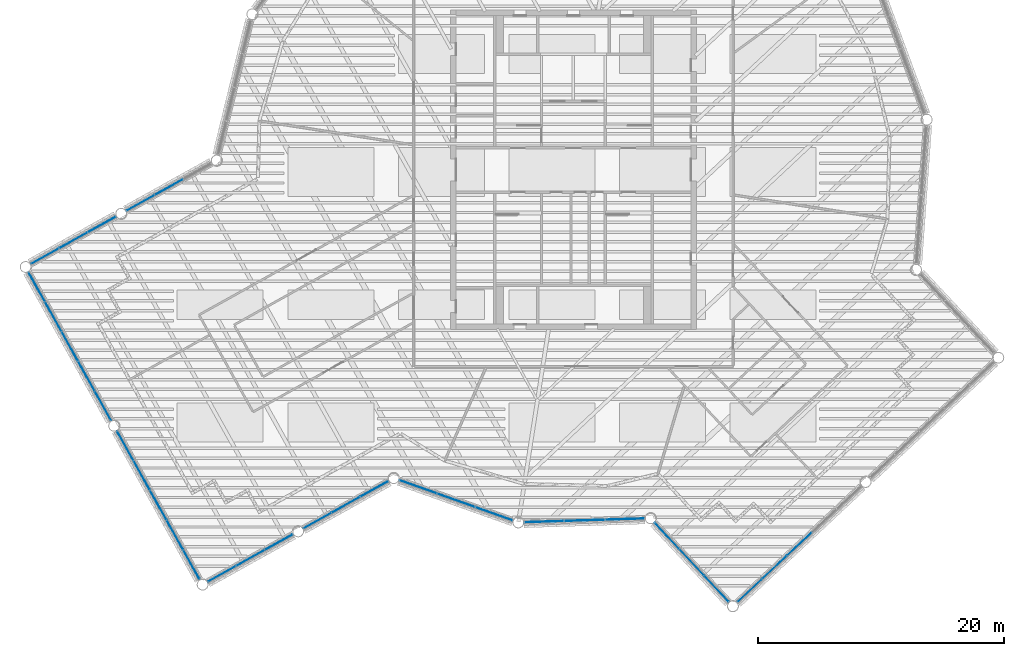
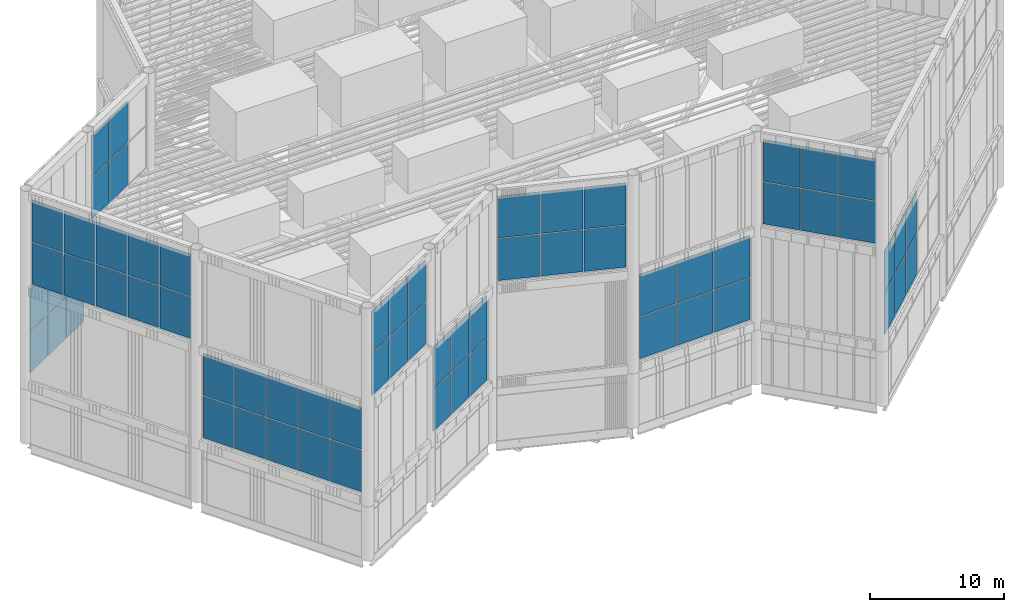
# One storey, part 79 of 117: 66 plates, 10 elements without a shape of their own.
"""IFC4 building model written with IfcOpenShell, lengths in metres."""

from ifc_helpers import new_model, si_unit, direction, frame, origin, origin_2d, place, context, subcontext, project, spatial, rectangle, extrude, material, layer, layer_set, type_object, element, aggregate, save


model = new_model("IFC4")

# Units and contexts
model_context = context("Model", 3, precision=1e-05, world=origin(), true_north=direction((0.0, 1.0)))
body_context = subcontext(model_context, "Body", "Model", "MODEL_VIEW")
ifc_project = project(units=[si_unit("LENGTHUNIT", "METRE"), si_unit("AREAUNIT", "SQUARE_METRE"), si_unit("VOLUMEUNIT", "CUBIC_METRE"), si_unit("PLANEANGLEUNIT", "RADIAN"), si_unit("MASSUNIT", "GRAM", prefix="KILO")], contexts=[model_context])

# Site, building, storey
site_placement = place(None, origin())
site = spatial("IfcSite", under=ifc_project, at=site_placement, CompositionType="ELEMENT")
building_placement = place(site_placement, origin())
building = spatial("IfcBuilding", under=site, at=building_placement, Name="Tarsis Ring Headquarters", CompositionType="ELEMENT")
storey_placement = place(building_placement, frame((0.0, 0.0, 403.60009765625)))
storey = spatial("IfcBuildingStorey", under=building, at=storey_placement, Name="L95", CompositionType="ELEMENT", Elevation=403.60009765625)

# Curtain wall, plates
ifc_material_1 = material(Name="Aluminium curtain wall", Category="aluminium")
ifc_layer_1 = layer(ifc_material_1, 0.179931640625)
ifc_layer_set_1 = layer_set([ifc_layer_1], Name="Curtain wall crown glazing")
curtain_wall_type = type_object("IfcCurtainWallType", Name="Curtain wall crown glazing", PredefinedType="NOTDEFINED", material=ifc_layer_set_1)
curtain_wall_1_placement = place(storey_placement, origin())
curtain_wall_1 = element("IfcCurtainWall", 1, at=curtain_wall_1_placement, inside=storey, type_object=curtain_wall_type, Name="Crown glazing L1", PredefinedType="NOTDEFINED")
ifc_material_2 = material(Name="Clear double glazing", Category="glass")
ifc_layer_2 = layer(ifc_material_2, 0.031982421875)
ifc_layer_set_2 = layer_set([ifc_layer_2], Name="Crown glazing glass panel")
plate_type = type_object("IfcPlateType", Name="Crown glazing glass panel", PredefinedType="CURTAIN_PANEL", material=ifc_layer_set_2)
plate_1_placement = place(storey_placement, frame((-2.36767578125, -28.633544921875, 5.869873046875), z_axis=(0.0, 0.0, 1.0), x_axis=(0.999503822594, 0.031497755807, 0.0)))
plate_1 = element("IfcPlate", 2, at=plate_1_placement, type_object=plate_type, Name="CW-C panel 1.1", PredefinedType="CURTAIN_PANEL", context=body_context, shape_type="SweptSolid", body=[
    extrude(rectangle(XDim=3.180908203125, YDim=0.031982421875, at=origin_2d()), origin(), (0.0, 0.0, 1.0), 3.794921875),
])
plate_2_placement = place(storey_placement, frame((-2.36767578125, -28.633544921875, 9.73486328125), z_axis=(0.0, 0.0, 1.0), x_axis=(0.999503822594, 0.031497755807, 0.0)))
plate_2 = element("IfcPlate", 3, at=plate_2_placement, type_object=plate_type, Name="CW-C panel 1.2", PredefinedType="CURTAIN_PANEL", context=body_context, shape_type="SweptSolid", body=[
    extrude(rectangle(XDim=3.180908203125, YDim=0.031982421875, at=origin_2d()), origin(), (0.0, 0.0, 1.0), 3.794921875),
])
plate_3_placement = place(storey_placement, frame((0.899169921875, -28.53076171875, 5.869873046875), z_axis=(0.0, 0.0, 1.0), x_axis=(0.999503822594, 0.031497755807, 0.0)))
plate_3 = element("IfcPlate", 4, at=plate_3_placement, type_object=plate_type, Name="CW-C panel 2.1", PredefinedType="CURTAIN_PANEL", context=body_context, shape_type="SweptSolid", body=[
    extrude(rectangle(XDim=3.2158203125, YDim=0.031982421875, at=origin_2d()), origin(), (0.0, 0.0, 1.0), 3.794921875),
])
plate_4_placement = place(storey_placement, frame((0.899169921875, -28.53076171875, 9.73486328125), z_axis=(0.0, 0.0, 1.0), x_axis=(0.999503822594, 0.031497755807, 0.0)))
plate_4 = element("IfcPlate", 5, at=plate_4_placement, type_object=plate_type, Name="CW-C panel 2.2", PredefinedType="CURTAIN_PANEL", context=body_context, shape_type="SweptSolid", body=[
    extrude(rectangle(XDim=3.2158203125, YDim=0.031982421875, at=origin_2d()), origin(), (0.0, 0.0, 1.0), 3.794921875),
])
plate_5_placement = place(storey_placement, frame((4.165771484375, -28.427734375, 5.869873046875), z_axis=(0.0, 0.0, 1.0), x_axis=(0.999503822594, 0.031497755807, 0.0)))
plate_5 = element("IfcPlate", 6, at=plate_5_placement, type_object=plate_type, Name="CW-C panel 3.1", PredefinedType="CURTAIN_PANEL", context=body_context, shape_type="SweptSolid", body=[
    extrude(rectangle(XDim=3.180908203125, YDim=0.031982421875, at=origin_2d()), origin(), (0.0, 0.0, 1.0), 3.794921875),
])
plate_6_placement = place(storey_placement, frame((4.165771484375, -28.427734375, 9.73486328125), z_axis=(0.0, 0.0, 1.0), x_axis=(0.999503822594, 0.031497755807, 0.0)))
plate_6 = element("IfcPlate", 7, at=plate_6_placement, type_object=plate_type, Name="CW-C panel 3.2", PredefinedType="CURTAIN_PANEL", context=body_context, shape_type="SweptSolid", body=[
    extrude(rectangle(XDim=3.180908203125, YDim=0.031982421875, at=origin_2d()), origin(), (0.0, 0.0, 1.0), 3.794921875),
])
aggregate(curtain_wall_1, [plate_1, plate_2, plate_3, plate_4, plate_5, plate_6])

curtain_wall_2_placement = place(storey_placement, origin())
curtain_wall_2 = element("IfcCurtainWall", 8, at=curtain_wall_2_placement, inside=storey, type_object=curtain_wall_type, Name="Crown glazing L3", PredefinedType="NOTDEFINED")
plate_7_placement = place(storey_placement, frame((14.34375, -34.244140625, 5.869873046875), z_axis=(0.0, 0.0, 1.0), x_axis=(0.729923774312, 0.683528553678, 0.0)))
plate_7 = element("IfcPlate", 9, at=plate_7_placement, type_object=plate_type, Name="CW-C panel 1.1", PredefinedType="CURTAIN_PANEL", context=body_context, shape_type="SweptSolid", body=[
    extrude(rectangle(XDim=2.672119140625, YDim=0.031982421875, at=origin_2d()), origin(), (0.0, 0.0, 1.0), 3.794921875),
])
plate_8_placement = place(storey_placement, frame((14.34375, -34.244140625, 9.73486328125), z_axis=(0.0, 0.0, 1.0), x_axis=(0.729923774312, 0.683528553678, 0.0)))
plate_8 = element("IfcPlate", 10, at=plate_8_placement, type_object=plate_type, Name="CW-C panel 1.2", PredefinedType="CURTAIN_PANEL", context=body_context, shape_type="SweptSolid", body=[
    extrude(rectangle(XDim=2.672119140625, YDim=0.031982421875, at=origin_2d()), origin(), (0.0, 0.0, 1.0), 3.794921875),
])
plate_9_placement = place(storey_placement, frame((16.358154296875, -32.357666015625, 5.869873046875), z_axis=(0.0, 0.0, 1.0), x_axis=(0.729923774312, 0.683528553678, 0.0)))
plate_9 = element("IfcPlate", 11, at=plate_9_placement, type_object=plate_type, Name="CW-C panel 2.1", PredefinedType="CURTAIN_PANEL", context=body_context, shape_type="SweptSolid", body=[
    extrude(rectangle(XDim=2.707275390625, YDim=0.031982421875, at=origin_2d()), origin(), (0.0, 0.0, 1.0), 3.794921875),
])
plate_10_placement = place(storey_placement, frame((16.358154296875, -32.357666015625, 9.73486328125), z_axis=(0.0, 0.0, 1.0), x_axis=(0.729923774312, 0.683528553678, 0.0)))
plate_10 = element("IfcPlate", 12, at=plate_10_placement, type_object=plate_type, Name="CW-C panel 2.2", PredefinedType="CURTAIN_PANEL", context=body_context, shape_type="SweptSolid", body=[
    extrude(rectangle(XDim=2.707275390625, YDim=0.031982421875, at=origin_2d()), origin(), (0.0, 0.0, 1.0), 3.794921875),
])
plate_11_placement = place(storey_placement, frame((18.38525390625, -30.45947265625, 5.869873046875), z_axis=(0.0, 0.0, 1.0), x_axis=(0.729923774312, 0.683528553678, 0.0)))
plate_11 = element("IfcPlate", 13, at=plate_11_placement, type_object=plate_type, Name="CW-C panel 3.1", PredefinedType="CURTAIN_PANEL", context=body_context, shape_type="SweptSolid", body=[
    extrude(rectangle(XDim=2.707275390625, YDim=0.031982421875, at=origin_2d()), origin(), (0.0, 0.0, 1.0), 3.794921875),
])
plate_12_placement = place(storey_placement, frame((18.38525390625, -30.45947265625, 9.73486328125), z_axis=(0.0, 0.0, 1.0), x_axis=(0.729923774312, 0.683528553678, 0.0)))
plate_12 = element("IfcPlate", 14, at=plate_12_placement, type_object=plate_type, Name="CW-C panel 3.2", PredefinedType="CURTAIN_PANEL", context=body_context, shape_type="SweptSolid", body=[
    extrude(rectangle(XDim=2.707275390625, YDim=0.031982421875, at=origin_2d()), origin(), (0.0, 0.0, 1.0), 3.794921875),
])
aggregate(curtain_wall_2, [plate_7, plate_8, plate_9, plate_10, plate_11, plate_12])

curtain_wall_3_placement = place(storey_placement, origin())
curtain_wall_3 = element("IfcCurtainWall", 15, at=curtain_wall_3_placement, inside=storey, type_object=curtain_wall_type, Name="Crown glazing L15", PredefinedType="NOTDEFINED")
plate_13_placement = place(storey_placement, frame((-38.39306640625, -4.445556640625, 5.869873046875), z_axis=(0.0, 0.0, 1.0), x_axis=(-0.873602436748, -0.486640300948, 0.0)))
plate_13 = element("IfcPlate", 16, at=plate_13_placement, type_object=plate_type, Name="CW-C panel 1.1", PredefinedType="CURTAIN_PANEL", context=body_context, shape_type="SweptSolid", body=[
    extrude(rectangle(XDim=2.557861328125, YDim=0.031982421875, at=origin_2d()), origin(), (0.0, 0.0, 1.0), 3.794921875),
])
plate_14_placement = place(storey_placement, frame((-38.39306640625, -4.445556640625, 9.73486328125), z_axis=(0.0, 0.0, 1.0), x_axis=(-0.873602436748, -0.486640300948, 0.0)))
plate_14 = element("IfcPlate", 17, at=plate_14_placement, type_object=plate_type, Name="CW-C panel 1.2", PredefinedType="CURTAIN_PANEL", context=body_context, shape_type="SweptSolid", body=[
    extrude(rectangle(XDim=2.557861328125, YDim=0.031982421875, at=origin_2d()), origin(), (0.0, 0.0, 1.0), 3.794921875),
])
plate_15_placement = place(storey_placement, frame((-40.703857421875, -5.73291015625, 5.869873046875), z_axis=(0.0, 0.0, 1.0), x_axis=(-0.873602436748, -0.486640300948, 0.0)))
plate_15 = element("IfcPlate", 18, at=plate_15_placement, type_object=plate_type, Name="CW-C panel 2.1", PredefinedType="CURTAIN_PANEL", context=body_context, shape_type="SweptSolid", body=[
    extrude(rectangle(XDim=2.5927734375, YDim=0.031982421875, at=origin_2d()), origin(), (0.0, 0.0, 1.0), 3.794921875),
])
plate_16_placement = place(storey_placement, frame((-40.703857421875, -5.73291015625, 9.73486328125), z_axis=(0.0, 0.0, 1.0), x_axis=(-0.873602436748, -0.486640300948, 0.0)))
plate_16 = element("IfcPlate", 19, at=plate_16_placement, type_object=plate_type, Name="CW-C panel 2.2", PredefinedType="CURTAIN_PANEL", context=body_context, shape_type="SweptSolid", body=[
    extrude(rectangle(XDim=2.5927734375, YDim=0.031982421875, at=origin_2d()), origin(), (0.0, 0.0, 1.0), 3.794921875),
])
plate_17_placement = place(storey_placement, frame((-43.014892578125, -7.02001953125, 5.869873046875), z_axis=(0.0, 0.0, 1.0), x_axis=(-0.873602436748, -0.486640300948, 0.0)))
plate_17 = element("IfcPlate", 20, at=plate_17_placement, type_object=plate_type, Name="CW-C panel 3.1", PredefinedType="CURTAIN_PANEL", context=body_context, shape_type="SweptSolid", body=[
    extrude(rectangle(XDim=2.557861328125, YDim=0.031982421875, at=origin_2d()), origin(), (0.0, 0.0, 1.0), 3.794921875),
])
plate_18_placement = place(storey_placement, frame((-43.014892578125, -7.02001953125, 9.73486328125), z_axis=(0.0, 0.0, 1.0), x_axis=(-0.873602436748, -0.486640300948, 0.0)))
plate_18 = element("IfcPlate", 21, at=plate_18_placement, type_object=plate_type, Name="CW-C panel 3.2", PredefinedType="CURTAIN_PANEL", context=body_context, shape_type="SweptSolid", body=[
    extrude(rectangle(XDim=2.557861328125, YDim=0.031982421875, at=origin_2d()), origin(), (0.0, 0.0, 1.0), 3.794921875),
])
aggregate(curtain_wall_3, [plate_13, plate_14, plate_15, plate_16, plate_17, plate_18])

curtain_wall_4_placement = place(storey_placement, origin())
curtain_wall_4 = element("IfcCurtainWall", 22, at=curtain_wall_4_placement, inside=storey, type_object=curtain_wall_type, Name="Crown glazing L17", PredefinedType="NOTDEFINED")
plate_19_placement = place(storey_placement, frame((-36.483642578125, -22.455810546875, 5.869873046875), z_axis=(0.0, 0.0, 1.0), x_axis=(0.486640326625, -0.873602422445, 0.0)))
plate_19 = element("IfcPlate", 23, at=plate_19_placement, type_object=plate_type, Name="CW-C panel 1.1", PredefinedType="CURTAIN_PANEL", context=body_context, shape_type="SweptSolid", body=[
    extrude(rectangle(XDim=2.672119140625, YDim=0.031982421875, at=origin_2d()), origin(), (0.0, 0.0, 1.0), 3.794921875),
])
plate_20_placement = place(storey_placement, frame((-36.483642578125, -22.455810546875, 9.73486328125), z_axis=(0.0, 0.0, 1.0), x_axis=(0.486640326625, -0.873602422445, 0.0)))
plate_20 = element("IfcPlate", 24, at=plate_20_placement, type_object=plate_type, Name="CW-C panel 1.2", PredefinedType="CURTAIN_PANEL", context=body_context, shape_type="SweptSolid", body=[
    extrude(rectangle(XDim=2.672119140625, YDim=0.031982421875, at=origin_2d()), origin(), (0.0, 0.0, 1.0), 3.794921875),
])
plate_21_placement = place(storey_placement, frame((-35.140625, -24.86669921875, 5.869873046875), z_axis=(0.0, 0.0, 1.0), x_axis=(0.486640326625, -0.873602422445, 0.0)))
plate_21 = element("IfcPlate", 25, at=plate_21_placement, type_object=plate_type, Name="CW-C panel 2.1", PredefinedType="CURTAIN_PANEL", context=body_context, shape_type="SweptSolid", body=[
    extrude(rectangle(XDim=2.707275390625, YDim=0.031982421875, at=origin_2d()), origin(), (0.0, 0.0, 1.0), 3.794921875),
])
plate_22_placement = place(storey_placement, frame((-35.140625, -24.86669921875, 9.73486328125), z_axis=(0.0, 0.0, 1.0), x_axis=(0.486640326625, -0.873602422445, 0.0)))
plate_22 = element("IfcPlate", 26, at=plate_22_placement, type_object=plate_type, Name="CW-C panel 2.2", PredefinedType="CURTAIN_PANEL", context=body_context, shape_type="SweptSolid", body=[
    extrude(rectangle(XDim=2.707275390625, YDim=0.031982421875, at=origin_2d()), origin(), (0.0, 0.0, 1.0), 3.794921875),
])
plate_23_placement = place(storey_placement, frame((-33.7890625, -27.29296875, 5.869873046875), z_axis=(0.0, 0.0, 1.0), x_axis=(0.486640326625, -0.873602422445, 0.0)))
plate_23 = element("IfcPlate", 27, at=plate_23_placement, type_object=plate_type, Name="CW-C panel 3.1", PredefinedType="CURTAIN_PANEL", context=body_context, shape_type="SweptSolid", body=[
    extrude(rectangle(XDim=2.707275390625, YDim=0.031982421875, at=origin_2d()), origin(), (0.0, 0.0, 1.0), 3.794921875),
])
plate_24_placement = place(storey_placement, frame((-33.7890625, -27.29296875, 9.73486328125), z_axis=(0.0, 0.0, 1.0), x_axis=(0.486640326625, -0.873602422445, 0.0)))
plate_24 = element("IfcPlate", 28, at=plate_24_placement, type_object=plate_type, Name="CW-C panel 3.2", PredefinedType="CURTAIN_PANEL", context=body_context, shape_type="SweptSolid", body=[
    extrude(rectangle(XDim=2.707275390625, YDim=0.031982421875, at=origin_2d()), origin(), (0.0, 0.0, 1.0), 3.794921875),
])
plate_25_placement = place(storey_placement, frame((-32.4375, -29.718994140625, 5.869873046875), z_axis=(0.0, 0.0, 1.0), x_axis=(0.486640326625, -0.873602422445, 0.0)))
plate_25 = element("IfcPlate", 29, at=plate_25_placement, type_object=plate_type, Name="CW-C panel 4.1", PredefinedType="CURTAIN_PANEL", context=body_context, shape_type="SweptSolid", body=[
    extrude(rectangle(XDim=2.707275390625, YDim=0.031982421875, at=origin_2d()), origin(), (0.0, 0.0, 1.0), 3.794921875),
])
plate_26_placement = place(storey_placement, frame((-32.4375, -29.718994140625, 9.73486328125), z_axis=(0.0, 0.0, 1.0), x_axis=(0.486640326625, -0.873602422445, 0.0)))
plate_26 = element("IfcPlate", 30, at=plate_26_placement, type_object=plate_type, Name="CW-C panel 4.2", PredefinedType="CURTAIN_PANEL", context=body_context, shape_type="SweptSolid", body=[
    extrude(rectangle(XDim=2.707275390625, YDim=0.031982421875, at=origin_2d()), origin(), (0.0, 0.0, 1.0), 3.794921875),
])
plate_27_placement = place(storey_placement, frame((-31.094482421875, -32.1298828125, 5.869873046875), z_axis=(0.0, 0.0, 1.0), x_axis=(0.486640326625, -0.873602422445, 0.0)))
plate_27 = element("IfcPlate", 31, at=plate_27_placement, type_object=plate_type, Name="CW-C panel 5.1", PredefinedType="CURTAIN_PANEL", context=body_context, shape_type="SweptSolid", body=[
    extrude(rectangle(XDim=2.672119140625, YDim=0.031982421875, at=origin_2d()), origin(), (0.0, 0.0, 1.0), 3.794921875),
])
plate_28_placement = place(storey_placement, frame((-31.094482421875, -32.1298828125, 9.73486328125), z_axis=(0.0, 0.0, 1.0), x_axis=(0.486640326625, -0.873602422445, 0.0)))
plate_28 = element("IfcPlate", 32, at=plate_28_placement, type_object=plate_type, Name="CW-C panel 5.2", PredefinedType="CURTAIN_PANEL", context=body_context, shape_type="SweptSolid", body=[
    extrude(rectangle(XDim=2.672119140625, YDim=0.031982421875, at=origin_2d()), origin(), (0.0, 0.0, 1.0), 3.794921875),
])
aggregate(curtain_wall_4, [plate_19, plate_20, plate_21, plate_22, plate_23, plate_24, plate_25, plate_26, plate_27, plate_28])

curtain_wall_5_placement = place(storey_placement, origin())
curtain_wall_5 = element("IfcCurtainWall", 33, at=curtain_wall_5_placement, inside=storey, type_object=curtain_wall_type, Name="Crown glazing L19", PredefinedType="NOTDEFINED")
plate_29_placement = place(storey_placement, frame((-20.833251953125, -28.546630859375, 5.869873046875), z_axis=(0.0, 0.0, 1.0), x_axis=(0.873602489969, 0.486640205409, 0.0)))
plate_29 = element("IfcPlate", 34, at=plate_29_placement, type_object=plate_type, Name="CW-C panel 1.1", PredefinedType="CURTAIN_PANEL", context=body_context, shape_type="SweptSolid", body=[
    extrude(rectangle(XDim=2.557861328125, YDim=0.031982421875, at=origin_2d()), origin(), (0.0, 0.0, 1.0), 3.794921875),
])
plate_30_placement = place(storey_placement, frame((-20.833251953125, -28.546630859375, 9.73486328125), z_axis=(0.0, 0.0, 1.0), x_axis=(0.873602489969, 0.486640205409, 0.0)))
plate_30 = element("IfcPlate", 35, at=plate_30_placement, type_object=plate_type, Name="CW-C panel 1.2", PredefinedType="CURTAIN_PANEL", context=body_context, shape_type="SweptSolid", body=[
    extrude(rectangle(XDim=2.557861328125, YDim=0.031982421875, at=origin_2d()), origin(), (0.0, 0.0, 1.0), 3.794921875),
])
plate_31_placement = place(storey_placement, frame((-18.5224609375, -27.25927734375, 5.869873046875), z_axis=(0.0, 0.0, 1.0), x_axis=(0.873602489969, 0.486640205409, 0.0)))
plate_31 = element("IfcPlate", 36, at=plate_31_placement, type_object=plate_type, Name="CW-C panel 2.1", PredefinedType="CURTAIN_PANEL", context=body_context, shape_type="SweptSolid", body=[
    extrude(rectangle(XDim=2.5927734375, YDim=0.031982421875, at=origin_2d()), origin(), (0.0, 0.0, 1.0), 3.794921875),
])
plate_32_placement = place(storey_placement, frame((-18.5224609375, -27.25927734375, 9.73486328125), z_axis=(0.0, 0.0, 1.0), x_axis=(0.873602489969, 0.486640205409, 0.0)))
plate_32 = element("IfcPlate", 37, at=plate_32_placement, type_object=plate_type, Name="CW-C panel 2.2", PredefinedType="CURTAIN_PANEL", context=body_context, shape_type="SweptSolid", body=[
    extrude(rectangle(XDim=2.5927734375, YDim=0.031982421875, at=origin_2d()), origin(), (0.0, 0.0, 1.0), 3.794921875),
])
plate_33_placement = place(storey_placement, frame((-16.21142578125, -25.971923828125, 5.869873046875), z_axis=(0.0, 0.0, 1.0), x_axis=(0.873602489969, 0.486640205409, 0.0)))
plate_33 = element("IfcPlate", 38, at=plate_33_placement, type_object=plate_type, Name="CW-C panel 3.1", PredefinedType="CURTAIN_PANEL", context=body_context, shape_type="SweptSolid", body=[
    extrude(rectangle(XDim=2.557861328125, YDim=0.031982421875, at=origin_2d()), origin(), (0.0, 0.0, 1.0), 3.794921875),
])
plate_34_placement = place(storey_placement, frame((-16.21142578125, -25.971923828125, 9.73486328125), z_axis=(0.0, 0.0, 1.0), x_axis=(0.873602489969, 0.486640205409, 0.0)))
plate_34 = element("IfcPlate", 39, at=plate_34_placement, type_object=plate_type, Name="CW-C panel 3.2", PredefinedType="CURTAIN_PANEL", context=body_context, shape_type="SweptSolid", body=[
    extrude(rectangle(XDim=2.557861328125, YDim=0.031982421875, at=origin_2d()), origin(), (0.0, 0.0, 1.0), 3.794921875),
])
aggregate(curtain_wall_5, [plate_29, plate_30, plate_31, plate_32, plate_33, plate_34])

curtain_wall_6_placement = place(storey_placement, origin())
curtain_wall_6 = element("IfcCurtainWall", 40, at=curtain_wall_6_placement, inside=storey, type_object=curtain_wall_type, Name="Crown glazing U2", PredefinedType="NOTDEFINED")
plate_35_placement = place(storey_placement, frame((7.619384765625, -29.7890625, 14.469970703125), z_axis=(0.0, 0.0, 1.0), x_axis=(0.68352858633, -0.729923743736, 0.0)))
plate_35 = element("IfcPlate", 41, at=plate_35_placement, type_object=plate_type, Name="CW-C panel 1.1", PredefinedType="CURTAIN_PANEL", context=body_context, shape_type="SweptSolid", body=[
    extrude(rectangle(XDim=2.8583984375, YDim=0.031982421875, at=origin_2d()), origin(), (0.0, 0.0, 1.0), 3.794921875),
])
plate_36_placement = place(storey_placement, frame((7.619384765625, -29.7890625, 18.3349609375), z_axis=(0.0, 0.0, 1.0), x_axis=(0.68352858633, -0.729923743736, 0.0)))
plate_36 = element("IfcPlate", 42, at=plate_36_placement, type_object=plate_type, Name="CW-C panel 1.2", PredefinedType="CURTAIN_PANEL", context=body_context, shape_type="SweptSolid", body=[
    extrude(rectangle(XDim=2.8583984375, YDim=0.031982421875, at=origin_2d()), origin(), (0.0, 0.0, 1.0), 3.794921875),
])
plate_37_placement = place(storey_placement, frame((9.633056640625, -31.939208984375, 14.469970703125), z_axis=(0.0, 0.0, 1.0), x_axis=(0.68352858633, -0.729923743736, 0.0)))
plate_37 = element("IfcPlate", 43, at=plate_37_placement, type_object=plate_type, Name="CW-C panel 2.1", PredefinedType="CURTAIN_PANEL", context=body_context, shape_type="SweptSolid", body=[
    extrude(rectangle(XDim=2.8935546875, YDim=0.031982421875, at=origin_2d()), origin(), (0.0, 0.0, 1.0), 3.794921875),
])
plate_38_placement = place(storey_placement, frame((9.633056640625, -31.939208984375, 18.3349609375), z_axis=(0.0, 0.0, 1.0), x_axis=(0.68352858633, -0.729923743736, 0.0)))
plate_38 = element("IfcPlate", 44, at=plate_38_placement, type_object=plate_type, Name="CW-C panel 2.2", PredefinedType="CURTAIN_PANEL", context=body_context, shape_type="SweptSolid", body=[
    extrude(rectangle(XDim=2.8935546875, YDim=0.031982421875, at=origin_2d()), origin(), (0.0, 0.0, 1.0), 3.794921875),
])
plate_39_placement = place(storey_placement, frame((11.646728515625, -34.089599609375, 14.469970703125), z_axis=(0.0, 0.0, 1.0), x_axis=(0.68352858633, -0.729923743736, 0.0)))
plate_39 = element("IfcPlate", 45, at=plate_39_placement, type_object=plate_type, Name="CW-C panel 3.1", PredefinedType="CURTAIN_PANEL", context=body_context, shape_type="SweptSolid", body=[
    extrude(rectangle(XDim=2.8583984375, YDim=0.031982421875, at=origin_2d()), origin(), (0.0, 0.0, 1.0), 3.794921875),
])
plate_40_placement = place(storey_placement, frame((11.646728515625, -34.089599609375, 18.3349609375), z_axis=(0.0, 0.0, 1.0), x_axis=(0.68352858633, -0.729923743736, 0.0)))
plate_40 = element("IfcPlate", 46, at=plate_40_placement, type_object=plate_type, Name="CW-C panel 3.2", PredefinedType="CURTAIN_PANEL", context=body_context, shape_type="SweptSolid", body=[
    extrude(rectangle(XDim=2.8583984375, YDim=0.031982421875, at=origin_2d()), origin(), (0.0, 0.0, 1.0), 3.794921875),
])
aggregate(curtain_wall_6, [plate_35, plate_36, plate_37, plate_38, plate_39, plate_40])

curtain_wall_7_placement = place(storey_placement, origin())
curtain_wall_7 = element("IfcCurtainWall", 47, at=curtain_wall_7_placement, inside=storey, type_object=curtain_wall_type, Name="Crown glazing U14", PredefinedType="NOTDEFINED")
plate_41_placement = place(storey_placement, frame((-32.927001953125, -1.400634765625, 14.469970703125), z_axis=(0.0, 0.0, 1.0), x_axis=(-0.873602436748, -0.486640300948, 0.0)))
plate_41 = element("IfcPlate", 48, at=plate_41_placement, type_object=plate_type, Name="CW-C panel 2.1", PredefinedType="CURTAIN_PANEL", context=body_context, shape_type="SweptSolid", body=[
    extrude(rectangle(XDim=2.5927734375, YDim=0.031982421875, at=origin_2d()), origin(), (0.0, 0.0, 1.0), 3.794921875),
])
plate_42_placement = place(storey_placement, frame((-32.927001953125, -1.400634765625, 18.3349609375), z_axis=(0.0, 0.0, 1.0), x_axis=(-0.873602436748, -0.486640300948, 0.0)))
plate_42 = element("IfcPlate", 49, at=plate_42_placement, type_object=plate_type, Name="CW-C panel 2.2", PredefinedType="CURTAIN_PANEL", context=body_context, shape_type="SweptSolid", body=[
    extrude(rectangle(XDim=2.5927734375, YDim=0.031982421875, at=origin_2d()), origin(), (0.0, 0.0, 1.0), 3.794921875),
])
plate_43_placement = place(storey_placement, frame((-35.23779296875, -2.68798828125, 14.469970703125), z_axis=(0.0, 0.0, 1.0), x_axis=(-0.873602436748, -0.486640300948, 0.0)))
plate_43 = element("IfcPlate", 50, at=plate_43_placement, type_object=plate_type, Name="CW-C panel 3.1", PredefinedType="CURTAIN_PANEL", context=body_context, shape_type="SweptSolid", body=[
    extrude(rectangle(XDim=2.557861328125, YDim=0.031982421875, at=origin_2d()), origin(), (0.0, 0.0, 1.0), 3.794921875),
])
plate_44_placement = place(storey_placement, frame((-35.23779296875, -2.68798828125, 18.3349609375), z_axis=(0.0, 0.0, 1.0), x_axis=(-0.873602436748, -0.486640300948, 0.0)))
plate_44 = element("IfcPlate", 51, at=plate_44_placement, type_object=plate_type, Name="CW-C panel 3.2", PredefinedType="CURTAIN_PANEL", context=body_context, shape_type="SweptSolid", body=[
    extrude(rectangle(XDim=2.557861328125, YDim=0.031982421875, at=origin_2d()), origin(), (0.0, 0.0, 1.0), 3.794921875),
])
aggregate(curtain_wall_7, [plate_41, plate_42, plate_43, plate_44])

curtain_wall_8_placement = place(storey_placement, origin())
curtain_wall_8 = element("IfcCurtainWall", 52, at=curtain_wall_8_placement, inside=storey, type_object=curtain_wall_type, Name="Crown glazing U16", PredefinedType="NOTDEFINED")
plate_45_placement = place(storey_placement, frame((-43.685791015625, -9.526611328125, 14.469970703125), z_axis=(0.0, 0.0, 1.0), x_axis=(0.48664030229, -0.873602436001, 0.0)))
plate_45 = element("IfcPlate", 53, at=plate_45_placement, type_object=plate_type, Name="CW-C panel 1.1", PredefinedType="CURTAIN_PANEL", context=body_context, shape_type="SweptSolid", body=[
    extrude(rectangle(XDim=2.672119140625, YDim=0.031982421875, at=origin_2d()), origin(), (0.0, 0.0, 1.0), 3.794921875),
])
plate_46_placement = place(storey_placement, frame((-43.685791015625, -9.526611328125, 18.3349609375), z_axis=(0.0, 0.0, 1.0), x_axis=(0.48664030229, -0.873602436001, 0.0)))
plate_46 = element("IfcPlate", 54, at=plate_46_placement, type_object=plate_type, Name="CW-C panel 1.2", PredefinedType="CURTAIN_PANEL", context=body_context, shape_type="SweptSolid", body=[
    extrude(rectangle(XDim=2.672119140625, YDim=0.031982421875, at=origin_2d()), origin(), (0.0, 0.0, 1.0), 3.794921875),
])
plate_47_placement = place(storey_placement, frame((-42.3427734375, -11.9375, 14.469970703125), z_axis=(0.0, 0.0, 1.0), x_axis=(0.48664030229, -0.873602436001, 0.0)))
plate_47 = element("IfcPlate", 55, at=plate_47_placement, type_object=plate_type, Name="CW-C panel 2.1", PredefinedType="CURTAIN_PANEL", context=body_context, shape_type="SweptSolid", body=[
    extrude(rectangle(XDim=2.707275390625, YDim=0.031982421875, at=origin_2d()), origin(), (0.0, 0.0, 1.0), 3.794921875),
])
plate_48_placement = place(storey_placement, frame((-42.3427734375, -11.9375, 18.3349609375), z_axis=(0.0, 0.0, 1.0), x_axis=(0.48664030229, -0.873602436001, 0.0)))
plate_48 = element("IfcPlate", 56, at=plate_48_placement, type_object=plate_type, Name="CW-C panel 2.2", PredefinedType="CURTAIN_PANEL", context=body_context, shape_type="SweptSolid", body=[
    extrude(rectangle(XDim=2.707275390625, YDim=0.031982421875, at=origin_2d()), origin(), (0.0, 0.0, 1.0), 3.794921875),
])
plate_49_placement = place(storey_placement, frame((-40.9912109375, -14.363525390625, 14.469970703125), z_axis=(0.0, 0.0, 1.0), x_axis=(0.48664030229, -0.873602436001, 0.0)))
plate_49 = element("IfcPlate", 57, at=plate_49_placement, type_object=plate_type, Name="CW-C panel 3.1", PredefinedType="CURTAIN_PANEL", context=body_context, shape_type="SweptSolid", body=[
    extrude(rectangle(XDim=2.707275390625, YDim=0.031982421875, at=origin_2d()), origin(), (0.0, 0.0, 1.0), 3.794921875),
])
plate_50_placement = place(storey_placement, frame((-40.9912109375, -14.363525390625, 18.3349609375), z_axis=(0.0, 0.0, 1.0), x_axis=(0.48664030229, -0.873602436001, 0.0)))
plate_50 = element("IfcPlate", 58, at=plate_50_placement, type_object=plate_type, Name="CW-C panel 3.2", PredefinedType="CURTAIN_PANEL", context=body_context, shape_type="SweptSolid", body=[
    extrude(rectangle(XDim=2.707275390625, YDim=0.031982421875, at=origin_2d()), origin(), (0.0, 0.0, 1.0), 3.794921875),
])
plate_51_placement = place(storey_placement, frame((-39.639892578125, -16.789794921875, 14.469970703125), z_axis=(0.0, 0.0, 1.0), x_axis=(0.48664030229, -0.873602436001, 0.0)))
plate_51 = element("IfcPlate", 59, at=plate_51_placement, type_object=plate_type, Name="CW-C panel 4.1", PredefinedType="CURTAIN_PANEL", context=body_context, shape_type="SweptSolid", body=[
    extrude(rectangle(XDim=2.707275390625, YDim=0.031982421875, at=origin_2d()), origin(), (0.0, 0.0, 1.0), 3.794921875),
])
plate_52_placement = place(storey_placement, frame((-39.639892578125, -16.789794921875, 18.3349609375), z_axis=(0.0, 0.0, 1.0), x_axis=(0.48664030229, -0.873602436001, 0.0)))
plate_52 = element("IfcPlate", 60, at=plate_52_placement, type_object=plate_type, Name="CW-C panel 4.2", PredefinedType="CURTAIN_PANEL", context=body_context, shape_type="SweptSolid", body=[
    extrude(rectangle(XDim=2.707275390625, YDim=0.031982421875, at=origin_2d()), origin(), (0.0, 0.0, 1.0), 3.794921875),
])
plate_53_placement = place(storey_placement, frame((-38.296875, -19.20068359375, 14.469970703125), z_axis=(0.0, 0.0, 1.0), x_axis=(0.48664030229, -0.873602436001, 0.0)))
plate_53 = element("IfcPlate", 61, at=plate_53_placement, type_object=plate_type, Name="CW-C panel 5.1", PredefinedType="CURTAIN_PANEL", context=body_context, shape_type="SweptSolid", body=[
    extrude(rectangle(XDim=2.672119140625, YDim=0.031982421875, at=origin_2d()), origin(), (0.0, 0.0, 1.0), 3.794921875),
])
plate_54_placement = place(storey_placement, frame((-38.296875, -19.20068359375, 18.3349609375), z_axis=(0.0, 0.0, 1.0), x_axis=(0.48664030229, -0.873602436001, 0.0)))
plate_54 = element("IfcPlate", 62, at=plate_54_placement, type_object=plate_type, Name="CW-C panel 5.2", PredefinedType="CURTAIN_PANEL", context=body_context, shape_type="SweptSolid", body=[
    extrude(rectangle(XDim=2.672119140625, YDim=0.031982421875, at=origin_2d()), origin(), (0.0, 0.0, 1.0), 3.794921875),
])
aggregate(curtain_wall_8, [plate_45, plate_46, plate_47, plate_48, plate_49, plate_50, plate_51, plate_52, plate_53, plate_54])

curtain_wall_9_placement = place(storey_placement, origin())
curtain_wall_9 = element("IfcCurtainWall", 63, at=curtain_wall_9_placement, inside=storey, type_object=curtain_wall_type, Name="Crown glazing U18", PredefinedType="NOTDEFINED")
plate_55_placement = place(storey_placement, frame((-28.6103515625, -32.878662109375, 14.469970703125), z_axis=(0.0, 0.0, 1.0), x_axis=(0.873602407098, 0.486640354177, 0.0)))
plate_55 = element("IfcPlate", 64, at=plate_55_placement, type_object=plate_type, Name="CW-C panel 1.1", PredefinedType="CURTAIN_PANEL", context=body_context, shape_type="SweptSolid", body=[
    extrude(rectangle(XDim=2.557861328125, YDim=0.031982421875, at=origin_2d()), origin(), (0.0, 0.0, 1.0), 3.794921875),
])
plate_56_placement = place(storey_placement, frame((-28.6103515625, -32.878662109375, 18.3349609375), z_axis=(0.0, 0.0, 1.0), x_axis=(0.873602407098, 0.486640354177, 0.0)))
plate_56 = element("IfcPlate", 65, at=plate_56_placement, type_object=plate_type, Name="CW-C panel 1.2", PredefinedType="CURTAIN_PANEL", context=body_context, shape_type="SweptSolid", body=[
    extrude(rectangle(XDim=2.557861328125, YDim=0.031982421875, at=origin_2d()), origin(), (0.0, 0.0, 1.0), 3.794921875),
])
plate_57_placement = place(storey_placement, frame((-26.29931640625, -31.59130859375, 14.469970703125), z_axis=(0.0, 0.0, 1.0), x_axis=(0.873602407098, 0.486640354177, 0.0)))
plate_57 = element("IfcPlate", 66, at=plate_57_placement, type_object=plate_type, Name="CW-C panel 2.1", PredefinedType="CURTAIN_PANEL", context=body_context, shape_type="SweptSolid", body=[
    extrude(rectangle(XDim=2.5927734375, YDim=0.031982421875, at=origin_2d()), origin(), (0.0, 0.0, 1.0), 3.794921875),
])
plate_58_placement = place(storey_placement, frame((-26.29931640625, -31.59130859375, 18.3349609375), z_axis=(0.0, 0.0, 1.0), x_axis=(0.873602407098, 0.486640354177, 0.0)))
plate_58 = element("IfcPlate", 67, at=plate_58_placement, type_object=plate_type, Name="CW-C panel 2.2", PredefinedType="CURTAIN_PANEL", context=body_context, shape_type="SweptSolid", body=[
    extrude(rectangle(XDim=2.5927734375, YDim=0.031982421875, at=origin_2d()), origin(), (0.0, 0.0, 1.0), 3.794921875),
])
plate_59_placement = place(storey_placement, frame((-23.988525390625, -30.30419921875, 14.469970703125), z_axis=(0.0, 0.0, 1.0), x_axis=(0.873602407098, 0.486640354177, 0.0)))
plate_59 = element("IfcPlate", 68, at=plate_59_placement, type_object=plate_type, Name="CW-C panel 3.1", PredefinedType="CURTAIN_PANEL", context=body_context, shape_type="SweptSolid", body=[
    extrude(rectangle(XDim=2.557861328125, YDim=0.031982421875, at=origin_2d()), origin(), (0.0, 0.0, 1.0), 3.794921875),
])
plate_60_placement = place(storey_placement, frame((-23.988525390625, -30.30419921875, 18.3349609375), z_axis=(0.0, 0.0, 1.0), x_axis=(0.873602407098, 0.486640354177, 0.0)))
plate_60 = element("IfcPlate", 69, at=plate_60_placement, type_object=plate_type, Name="CW-C panel 3.2", PredefinedType="CURTAIN_PANEL", context=body_context, shape_type="SweptSolid", body=[
    extrude(rectangle(XDim=2.557861328125, YDim=0.031982421875, at=origin_2d()), origin(), (0.0, 0.0, 1.0), 3.794921875),
])
aggregate(curtain_wall_9, [plate_55, plate_56, plate_57, plate_58, plate_59, plate_60])

curtain_wall_10_placement = place(storey_placement, origin())
curtain_wall_10 = element("IfcCurtainWall", 70, at=curtain_wall_10_placement, inside=storey, type_object=curtain_wall_type, Name="Crown glazing U20", PredefinedType="NOTDEFINED")
plate_61_placement = place(storey_placement, frame((-12.638671875, -25.80224609375, 14.469970703125), z_axis=(0.0, 0.0, 1.0), x_axis=(0.942262274209, -0.334875807731, 0.0)))
plate_61 = element("IfcPlate", 71, at=plate_61_placement, type_object=plate_type, Name="CW-C panel 1.1", PredefinedType="CURTAIN_PANEL", context=body_context, shape_type="SweptSolid", body=[
    extrude(rectangle(XDim=3.180908203125, YDim=0.031982421875, at=origin_2d()), origin(), (0.0, 0.0, 1.0), 3.794921875),
])
plate_62_placement = place(storey_placement, frame((-12.638671875, -25.80224609375, 18.3349609375), z_axis=(0.0, 0.0, 1.0), x_axis=(0.942262274209, -0.334875807731, 0.0)))
plate_62 = element("IfcPlate", 72, at=plate_62_placement, type_object=plate_type, Name="CW-C panel 1.2", PredefinedType="CURTAIN_PANEL", context=body_context, shape_type="SweptSolid", body=[
    extrude(rectangle(XDim=3.180908203125, YDim=0.031982421875, at=origin_2d()), origin(), (0.0, 0.0, 1.0), 3.794921875),
])
plate_63_placement = place(storey_placement, frame((-9.55908203125, -26.896728515625, 14.469970703125), z_axis=(0.0, 0.0, 1.0), x_axis=(0.942262274209, -0.334875807731, 0.0)))
plate_63 = element("IfcPlate", 73, at=plate_63_placement, type_object=plate_type, Name="CW-C panel 2.1", PredefinedType="CURTAIN_PANEL", context=body_context, shape_type="SweptSolid", body=[
    extrude(rectangle(XDim=3.2158203125, YDim=0.031982421875, at=origin_2d()), origin(), (0.0, 0.0, 1.0), 3.794921875),
])
plate_64_placement = place(storey_placement, frame((-9.55908203125, -26.896728515625, 18.3349609375), z_axis=(0.0, 0.0, 1.0), x_axis=(0.942262274209, -0.334875807731, 0.0)))
plate_64 = element("IfcPlate", 74, at=plate_64_placement, type_object=plate_type, Name="CW-C panel 2.2", PredefinedType="CURTAIN_PANEL", context=body_context, shape_type="SweptSolid", body=[
    extrude(rectangle(XDim=3.2158203125, YDim=0.031982421875, at=origin_2d()), origin(), (0.0, 0.0, 1.0), 3.794921875),
])
plate_65_placement = place(storey_placement, frame((-6.479248046875, -27.9912109375, 14.469970703125), z_axis=(0.0, 0.0, 1.0), x_axis=(0.942262274209, -0.334875807731, 0.0)))
plate_65 = element("IfcPlate", 75, at=plate_65_placement, type_object=plate_type, Name="CW-C panel 3.1", PredefinedType="CURTAIN_PANEL", context=body_context, shape_type="SweptSolid", body=[
    extrude(rectangle(XDim=3.180908203125, YDim=0.031982421875, at=origin_2d()), origin(), (0.0, 0.0, 1.0), 3.794921875),
])
plate_66_placement = place(storey_placement, frame((-6.479248046875, -27.9912109375, 18.3349609375), z_axis=(0.0, 0.0, 1.0), x_axis=(0.942262274209, -0.334875807731, 0.0)))
plate_66 = element("IfcPlate", 76, at=plate_66_placement, type_object=plate_type, Name="CW-C panel 3.2", PredefinedType="CURTAIN_PANEL", context=body_context, shape_type="SweptSolid", body=[
    extrude(rectangle(XDim=3.180908203125, YDim=0.031982421875, at=origin_2d()), origin(), (0.0, 0.0, 1.0), 3.794921875),
])
aggregate(curtain_wall_10, [plate_61, plate_62, plate_63, plate_64, plate_65, plate_66])

save(model, "model.ifc")
